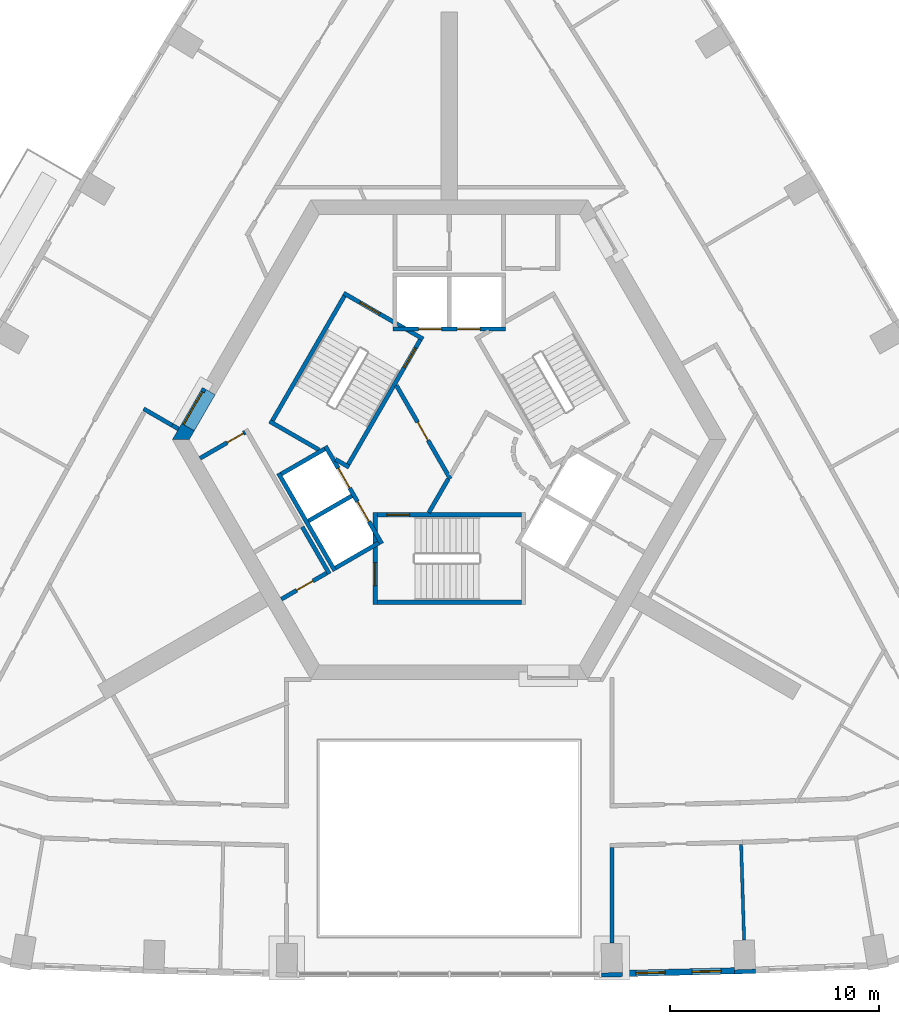
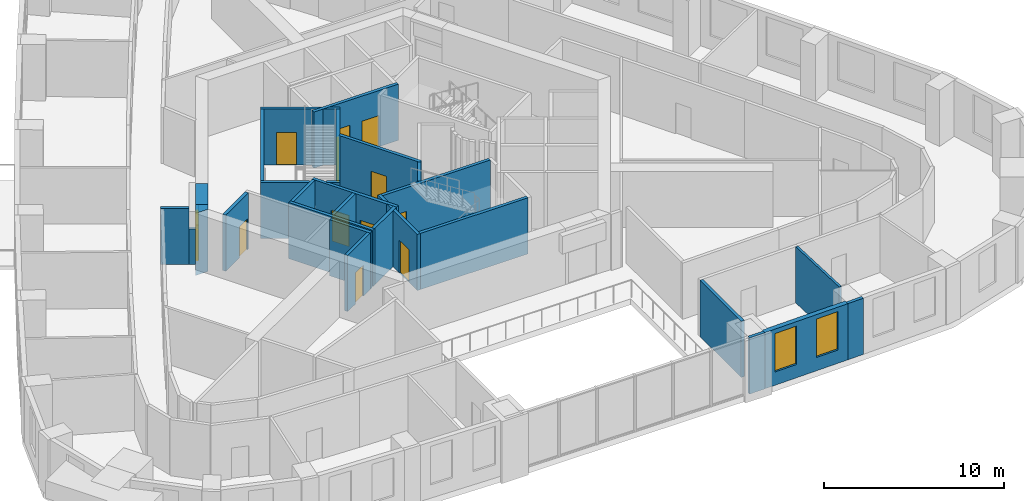
# One storey, part 5 of 13: 29 walls, 12 doors, 2 windows, 14 openings.
"""IFC4 building model written with IfcOpenShell, lengths in metres."""

from ifc_helpers import new_model, si_unit, direction, frame, frame_2d, origin, place, context, subcontext, project, spatial, polyline, rectangle, outline, extrude, material, layer, layer_set, type_object, element, fill, save


model = new_model("IFC4")

# Units and contexts
model_context = context("Model", 3, precision=1e-05, world=origin(), true_north=direction((0.0, 1.0)))
body_context = subcontext(model_context, "Body", "Model", "MODEL_VIEW")
ifc_project = project(units=[si_unit("LENGTHUNIT", "METRE"), si_unit("AREAUNIT", "SQUARE_METRE"), si_unit("VOLUMEUNIT", "CUBIC_METRE"), si_unit("PLANEANGLEUNIT", "RADIAN"), si_unit("MASSUNIT", "GRAM", prefix="KILO")], contexts=[model_context])

# Site, building, storey
site_placement = place(None, origin())
site = spatial("IfcSite", under=ifc_project, at=site_placement, CompositionType="ELEMENT")
building_placement = place(site_placement, origin())
building = spatial("IfcBuilding", under=site, at=building_placement, Name="Entoto Arch Interchange Tower", CompositionType="ELEMENT")
storey_placement = place(building_placement, frame((0.0, 0.0, 223.39990234375)))
storey = spatial("IfcBuildingStorey", under=building, at=storey_placement, Name="L50", CompositionType="ELEMENT", Elevation=223.39990234375)

# Wall, opening, door
ifc_material_1 = material(Name="Reinforced concrete C40/50", Category="concrete")
ifc_layer_1 = layer(ifc_material_1, 0.199951171875)
ifc_layer_set_1 = layer_set([ifc_layer_1], Name="Reinforced concrete C40/50")
wall_type_1 = type_object("IfcWallType", Name="CORE GAP INFILL WALL", PredefinedType="PARTITIONING", material=ifc_layer_set_1)
wall_1_placement = place(storey_placement, frame((-11.7470703125, 4.951904296875, 0.0), z_axis=(0.0, 0.0, 1.0), x_axis=(-0.50002537861, -0.866010750942, 0.0)))
wall_1 = element("IfcWall", 1, at=wall_1_placement, inside=storey, type_object=wall_type_1, Name="wall:L50:gap3", PredefinedType="PARTITIONING", context=body_context, shape_type="SweptSolid", body=[
    extrude(rectangle(XDim=2.0, YDim=0.199951171875, at=frame_2d((1.0, 0.0))), origin(), (0.0, 0.0, 1.0), 2.400146484375),
])
opening_1_placement = place(wall_1_placement, frame((0.18994140625, 0.0, 0.0)))
opening_1 = element("IfcOpeningElement", 2, at=opening_1_placement, cuts=wall_1, Name="Opening L50-D93", PredefinedType="OPENING", context=body_context, shape_type="SweptSolid", body=[
    extrude(rectangle(XDim=1.800048828125, YDim=2.10009765625, at=frame_2d((0.89990234375, 1.050048828125))), frame((0.0, 0.10986328125, 0.0), z_axis=(0.0, -1.0, 0.0), x_axis=(1.0, 0.0, 0.0)), (0.0, 0.0, 1.0), 0.219970703125),
])
ifc_material_2 = material(Name="Fire-rated Steel S235 door and frame", Category="steel")
door_type_1 = type_object("IfcDoorType", Name="DOOR FD-18 1800x2100", OperationType="DOUBLE_DOOR_SINGLE_SWING", PredefinedType="DOOR", material=ifc_material_2)
door_1_placement = place(opening_1_placement, origin())
door_1 = element("IfcDoor", 3, at=door_1_placement, inside=storey, type_object=door_type_1, Name="door:L50:gap3", OperationType="DOUBLE_DOOR_SINGLE_SWING", OverallHeight=2.10009765625, OverallWidth=1.800048828125, PredefinedType="DOOR", context=body_context, shape_type="SweptSolid", body=[
    extrude(rectangle(XDim=1.800048828125, YDim=2.10009765625, at=frame_2d((0.89990234375, 1.050048828125))), frame((0.0, 0.02490234375, 0.0), z_axis=(0.0, -1.0, 0.0), x_axis=(1.0, 0.0, 0.0)), (0.0, 0.0, 1.0), 0.050048828125),
])
fill(opening_1, door_1)

# Walls
ifc_material_3 = material(Name="Concrete C50/60", Category="concrete")
ifc_layer_2 = layer(ifc_material_3, 0.699951171875)
ifc_layer_set_2 = layer_set([ifc_layer_2], Name="Concrete C50/60")
wall_type_2 = type_object("IfcWallType", Name="Core wall 700 C50/60", PredefinedType="SHEAR", material=ifc_layer_set_2)
wall_2_placement = place(storey_placement, frame((0.0, 0.0, -0.39990234375)))
element("IfcWall", 4, at=wall_2_placement, inside=storey, type_object=wall_type_2, Name="Core wall NW L50", PredefinedType="SHEAR", context=body_context, shape_type="SweptSolid", body=[
    extrude(outline(polyline([(-12.22802734375, 2.919921875), (-12.833984375, 3.27001953125), (-13.279052734375, 2.5), (-12.470947265625, 2.5), (-12.22802734375, 2.919921875)])), origin(), (0.0, 0.0, 1.0), 4.199951171875),
])
wall_3_placement = place(storey_placement, frame((0.0, 0.0, 3.60009765625)))
element("IfcWall", 5, at=wall_3_placement, inside=storey, type_object=wall_type_2, Name="Core wall lintel NW L50", PredefinedType="SHEAR", context=body_context, shape_type="SweptSolid", body=[
    extrude(outline(polyline([(-12.833984375, 3.27001953125), (-12.22802734375, 2.919921875), (-11.22802734375, 4.652099609375), (-11.833984375, 5.001953125), (-12.833984375, 3.27001953125)])), origin(), (0.0, 0.0, 1.0), 0.199951171875),
])

# Wall, openings, doors
ifc_material_4 = material(Name="Concrete C40/50", Category="concrete")
ifc_layer_3 = layer(ifc_material_4, 0.199951171875)
ifc_layer_set_3 = layer_set([ifc_layer_3], Name="Concrete C40/50")
wall_type_3 = type_object("IfcWallType", Name="LIFT SHAFT WALL 200", PredefinedType="STANDARD", material=ifc_layer_set_3)
wall_4_placement = place(storey_placement, frame((2.699951171875, 7.800048828125, 0.0), z_axis=(0.0, 0.0, 1.0), x_axis=(-1.0, 0.0, 0.0)))
wall_4 = element("IfcWall", 6, at=wall_4_placement, inside=storey, type_object=wall_type_3, Name="Shaft wall N1 front", PredefinedType="STANDARD", context=body_context, shape_type="SweptSolid", body=[
    extrude(rectangle(XDim=5.39990234375, YDim=0.199951171875, at=frame_2d((2.699951171875, 0.0))), origin(), (0.0, 0.0, 1.0), 3.800048828125),
])
opening_2_placement = place(wall_4_placement, frame((1.22509765625, 0.0, 0.0)))
opening_2 = element("IfcOpeningElement", 7, at=opening_2_placement, cuts=wall_4, Name="Opening LD-HR1-L50", PredefinedType="OPENING", context=body_context, shape_type="SweptSolid", body=[
    extrude(rectangle(XDim=1.10009765625, YDim=2.10009765625, at=frame_2d((0.550048828125, 1.050048828125))), frame((0.0, 0.10986328125, 0.0), z_axis=(0.0, -1.0, 0.0), x_axis=(1.0, 0.0, 0.0)), (0.0, 0.0, 1.0), 0.219970703125),
])
opening_3_placement = place(wall_4_placement, frame((3.074951171875, 0.0, 0.0)))
opening_3 = element("IfcOpeningElement", 8, at=opening_3_placement, cuts=wall_4, Name="Opening LD-HR2-L50", PredefinedType="OPENING", context=body_context, shape_type="SweptSolid", body=[
    extrude(rectangle(XDim=1.10009765625, YDim=2.10009765625, at=frame_2d((0.550048828125, 1.050048828125))), frame((0.0, 0.10986328125, 0.0), z_axis=(0.0, -1.0, 0.0), x_axis=(1.0, 0.0, 0.0)), (0.0, 0.0, 1.0), 0.219970703125),
])
ifc_material_5 = material(Name="Stainless steel 1.4301 panels", Category="steel")
door_type_2 = type_object("IfcDoorType", Name="LIFT LANDING DOOR LD1 1100x2100", OperationType="SLIDING_TO_LEFT", PredefinedType="DOOR", material=ifc_material_5)
door_2_placement = place(opening_2_placement, origin())
door_2 = element("IfcDoor", 9, at=door_2_placement, inside=storey, type_object=door_type_2, Name="Lift landing door HR1 L50", OperationType="SLIDING_TO_LEFT", OverallHeight=2.10009765625, OverallWidth=1.10009765625, PredefinedType="DOOR", context=body_context, shape_type="SweptSolid", body=[
    extrude(rectangle(XDim=1.10009765625, YDim=2.10009765625, at=frame_2d((0.550048828125, 1.050048828125))), frame((0.0, 0.02490234375, 0.0), z_axis=(0.0, -1.0, 0.0), x_axis=(1.0, 0.0, 0.0)), (0.0, 0.0, 1.0), 0.050048828125),
])
fill(opening_2, door_2)
door_3_placement = place(opening_3_placement, origin())
door_3 = element("IfcDoor", 10, at=door_3_placement, inside=storey, type_object=door_type_2, Name="Lift landing door HR2 L50", OperationType="SLIDING_TO_LEFT", OverallHeight=2.10009765625, OverallWidth=1.10009765625, PredefinedType="DOOR", context=body_context, shape_type="SweptSolid", body=[
    extrude(rectangle(XDim=1.10009765625, YDim=2.10009765625, at=frame_2d((0.550048828125, 1.050048828125))), frame((0.0, 0.02490234375, 0.0), z_axis=(0.0, -1.0, 0.0), x_axis=(1.0, 0.0, 0.0)), (0.0, 0.0, 1.0), 0.050048828125),
])
fill(opening_3, door_3)

wall_5_placement = place(storey_placement, frame((-5.93994140625, 2.18798828125, 0.0), z_axis=(0.0, 0.0, 1.0), x_axis=(0.500034260056, -0.866005622828, 0.0)))
wall_5 = element("IfcWall", 11, at=wall_5_placement, inside=storey, type_object=wall_type_3, Name="Shaft wall SW1 front", PredefinedType="STANDARD", context=body_context, shape_type="SweptSolid", body=[
    extrude(rectangle(XDim=5.3994140625, YDim=0.199951171875, at=frame_2d((2.69970703125, 0.0))), origin(), (0.0, 0.0, 1.0), 3.800048828125),
])
opening_4_placement = place(wall_5_placement, frame((3.074951171875, 0.0, 0.0)))
opening_4 = element("IfcOpeningElement", 12, at=opening_4_placement, cuts=wall_5, Name="Opening LD-HR4-L50", PredefinedType="OPENING", context=body_context, shape_type="SweptSolid", body=[
    extrude(rectangle(XDim=1.10009765625, YDim=2.10009765625, at=frame_2d((0.550048828125, 1.050048828125))), frame((0.0, 0.10986328125, 0.0), z_axis=(0.0, -1.0, 0.0), x_axis=(1.0, 0.0, 0.0)), (0.0, 0.0, 1.0), 0.219970703125),
])
opening_5_placement = place(wall_5_placement, frame((1.22509765625, 0.0, 0.0)))
opening_5 = element("IfcOpeningElement", 13, at=opening_5_placement, cuts=wall_5, Name="Opening LD-FF2-L50", PredefinedType="OPENING", context=body_context, shape_type="SweptSolid", body=[
    extrude(rectangle(XDim=1.10009765625, YDim=2.10009765625, at=frame_2d((0.550048828125, 1.050048828125))), frame((0.0, 0.10986328125, 0.0), z_axis=(0.0, -1.0, 0.0), x_axis=(1.0, 0.0, 0.0)), (0.0, 0.0, 1.0), 0.219970703125),
])
door_4_placement = place(opening_4_placement, origin())
door_4 = element("IfcDoor", 14, at=door_4_placement, inside=storey, type_object=door_type_2, Name="Lift landing door HR4 L50", OperationType="SLIDING_TO_LEFT", OverallHeight=2.10009765625, OverallWidth=1.10009765625, PredefinedType="DOOR", context=body_context, shape_type="SweptSolid", body=[
    extrude(rectangle(XDim=1.10009765625, YDim=2.10009765625, at=frame_2d((0.550048828125, 1.050048828125))), frame((0.0, 0.02490234375, 0.0), z_axis=(0.0, -1.0, 0.0), x_axis=(1.0, 0.0, 0.0)), (0.0, 0.0, 1.0), 0.050048828125),
])
fill(opening_4, door_4)
door_5_placement = place(opening_5_placement, origin())
door_5 = element("IfcDoor", 15, at=door_5_placement, inside=storey, type_object=door_type_2, Name="Lift landing door FF2 L50", OperationType="SLIDING_TO_LEFT", OverallHeight=2.10009765625, OverallWidth=1.10009765625, PredefinedType="DOOR", context=body_context, shape_type="SweptSolid", body=[
    extrude(rectangle(XDim=1.10009765625, YDim=2.10009765625, at=frame_2d((0.550048828125, 1.050048828125))), frame((0.0, 0.02490234375, 0.0), z_axis=(0.0, -1.0, 0.0), x_axis=(1.0, 0.0, 0.0)), (0.0, 0.0, 1.0), 0.050048828125),
])
fill(opening_5, door_5)

# Walls
wall_6_placement = place(storey_placement, frame((-8.19189453125, 0.887939453125, 0.0), z_axis=(0.0, 0.0, 1.0), x_axis=(0.500034260056, -0.866005622828, 0.0)))
element("IfcWall", 16, at=wall_6_placement, inside=storey, type_object=wall_type_3, Name="Shaft wall SW1 back", PredefinedType="STANDARD", context=body_context, shape_type="SweptSolid", body=[
    extrude(rectangle(XDim=5.3994140625, YDim=0.199951171875, at=frame_2d((2.69970703125, 0.0))), origin(), (0.0, 0.0, 1.0), 3.800048828125),
])
for number, where, z_axis, x_axis, name in (
    (17, (-5.97705078125, 2.052001953125, 0.0), (0.0, 0.0, 1.0), (-0.865973769406, -0.500089422704, 0.0), "Shaft wall SW1 cross 1"),
    (18, (-4.677001953125, -0.199951171875, 0.0), (0.0, 0.0, 1.0), (-0.865973769406, -0.500089422704, 0.0), "Shaft wall SW1 cross 2"),
):
    element("IfcWall", number, at=place(storey_placement, frame(where, z_axis=z_axis, x_axis=x_axis)), inside=storey, type_object=wall_type_3, Name=name, PredefinedType="STANDARD", context=body_context, shape_type="SweptSolid", body=[
        extrude(rectangle(XDim=2.3994140625, YDim=0.199951171875, at=frame_2d((1.19970703125, 0.0))), origin(), (0.0, 0.0, 1.0), 3.800048828125),
    ])
wall_7_placement = place(storey_placement, frame((-3.376953125, -2.451904296875, 0.0), z_axis=(0.0, 0.0, 1.0), x_axis=(-0.865955154139, -0.50012165622, 0.0)))
element("IfcWall", 19, at=wall_7_placement, inside=storey, type_object=wall_type_3, Name="Shaft wall SW1 cross 3", PredefinedType="STANDARD", context=body_context, shape_type="SweptSolid", body=[
    extrude(rectangle(XDim=2.39990234375, YDim=0.199951171875, at=frame_2d((1.199951171875, 0.0))), origin(), (0.0, 0.0, 1.0), 3.800048828125),
])
ifc_material_6 = material(Name="Gypsum board partition on steel studs", Category="steel")
ifc_layer_4 = layer(ifc_material_6, 0.14990234375)
ifc_layer_set_4 = layer_set([ifc_layer_4], Name="Gypsum board partition on steel studs")
wall_type_4 = type_object("IfcWallType", Name="PARTITION 150", PredefinedType="PARTITIONING", material=ifc_layer_set_4)
wall_8_placement = place(storey_placement, frame((13.990966796875, -16.909912109375, 0.0), z_axis=(0.0, 0.0, 1.0), x_axis=(0.031234752378, -0.999512076087, 0.0)))
element("IfcWall", 20, at=wall_8_placement, inside=storey, type_object=wall_type_4, Name="wall:L50:p117", PredefinedType="PARTITIONING", context=body_context, shape_type="SweptSolid", body=[
    extrude(rectangle(XDim=4.580322265625, YDim=0.14990234375, at=frame_2d((2.2900390625, 0.0))), origin(), (0.0, 0.0, 1.0), 3.800048828125),
])
ifc_layer_5 = layer(ifc_material_6, 0.199951171875)
ifc_layer_set_5 = layer_set([ifc_layer_5], Name="Gypsum board partition on steel studs")
wall_type_5 = type_object("IfcWallType", Name="PARTITION 200", PredefinedType="PARTITIONING", material=ifc_layer_set_5)
wall_9_placement = place(storey_placement, frame((-12.98388671875, 3.010009765625, 0.0), z_axis=(0.0, 0.0, 1.0), x_axis=(-0.866046247233, 0.49996389635, 0.0)))
element("IfcWall", 21, at=wall_9_placement, inside=storey, type_object=wall_type_5, Name="wall:L50:p024", PredefinedType="PARTITIONING", context=body_context, shape_type="SweptSolid", body=[
    extrude(rectangle(XDim=0.35009765625, YDim=0.199951171875, at=frame_2d((0.175048828125, 0.0))), origin(), (0.0, 0.0, 1.0), 2.400146484375),
])

# Wall, opening, door
wall_10_placement = place(storey_placement, frame((-11.952880859375, 1.60302734375, 0.0), z_axis=(0.0, 0.0, 1.0), x_axis=(0.865998541277, 0.500046524342, 0.0)))
wall_10 = element("IfcWall", 22, at=wall_10_placement, inside=storey, type_object=wall_type_5, Name="wall:L50:p079", PredefinedType="PARTITIONING", context=body_context, shape_type="SweptSolid", body=[
    extrude(rectangle(XDim=2.499755859375, YDim=0.199951171875, at=frame_2d((1.25, 0.0))), origin(), (0.0, 0.0, 1.0), 3.800048828125),
])
opening_6_placement = place(wall_10_placement, frame((1.5, 0.0, 0.0)))
opening_6 = element("IfcOpeningElement", 23, at=opening_6_placement, cuts=wall_10, Name="Opening L50-D34", PredefinedType="OPENING", context=body_context, shape_type="SweptSolid", body=[
    extrude(rectangle(XDim=0.89990234375, YDim=2.10009765625, at=frame_2d((0.449951171875, 1.050048828125))), frame((0.0, 0.10986328125, 0.0), z_axis=(0.0, -1.0, 0.0), x_axis=(1.0, 0.0, 0.0)), (0.0, 0.0, 1.0), 0.219970703125),
])
ifc_material_7 = material(Name="Timber door leaf in Steel S235 frame", Category="steel")
door_type_3 = type_object("IfcDoorType", Name="DOOR DS-09 900x2100", OperationType="SINGLE_SWING_LEFT", PredefinedType="DOOR", material=ifc_material_7)
door_6_placement = place(opening_6_placement, origin())
door_6 = element("IfcDoor", 24, at=door_6_placement, inside=storey, type_object=door_type_3, Name="door:L50:34", OperationType="SINGLE_SWING_LEFT", OverallHeight=2.10009765625, OverallWidth=0.89990234375, PredefinedType="DOOR", context=body_context, shape_type="SweptSolid", body=[
    extrude(rectangle(XDim=0.89990234375, YDim=2.10009765625, at=frame_2d((0.449951171875, 1.050048828125))), frame((0.0, 0.02490234375, 0.0), z_axis=(0.0, -1.0, 0.0), x_axis=(1.0, 0.0, 0.0)), (0.0, 0.0, 1.0), 0.050048828125),
])
fill(opening_6, door_6)

# Wall
wall_11_placement = place(storey_placement, frame((-7.051025390625, -1.68701171875, 0.0), z_axis=(0.0, 0.0, 1.0), x_axis=(0.500128937424, -0.865950948929, 0.0)))
element("IfcWall", 25, at=wall_11_placement, inside=storey, type_object=wall_type_5, Name="wall:L50:p081", PredefinedType="PARTITIONING", context=body_context, shape_type="SweptSolid", body=[
    extrude(rectangle(XDim=2.599365234375, YDim=0.199951171875, at=frame_2d((1.2998046875, 0.0))), origin(), (0.0, 0.0, 1.0), 3.800048828125),
])

# Wall, opening, door
wall_12_placement = place(storey_placement, frame((-5.887939453125, -3.902099609375, 0.0), z_axis=(0.0, 0.0, 1.0), x_axis=(-0.866022959057, -0.500004234368, 0.0)))
wall_12 = element("IfcWall", 26, at=wall_12_placement, inside=storey, type_object=wall_type_5, Name="wall:L50:p082", PredefinedType="PARTITIONING", context=body_context, shape_type="SweptSolid", body=[
    extrude(rectangle(XDim=2.5, YDim=0.199951171875, at=frame_2d((1.25, 0.0))), origin(), (0.0, 0.0, 1.0), 3.800048828125),
])
opening_7_placement = place(wall_12_placement, frame((0.75, 0.0, 0.0)))
opening_7 = element("IfcOpeningElement", 27, at=opening_7_placement, cuts=wall_12, Name="Opening L50-D35", PredefinedType="OPENING", context=body_context, shape_type="SweptSolid", body=[
    extrude(rectangle(XDim=0.89990234375, YDim=2.10009765625, at=frame_2d((0.449951171875, 1.050048828125))), frame((0.0, 0.10986328125, 0.0), z_axis=(0.0, -1.0, 0.0), x_axis=(1.0, 0.0, 0.0)), (0.0, 0.0, 1.0), 0.219970703125),
])
door_7_placement = place(opening_7_placement, origin())
door_7 = element("IfcDoor", 28, at=door_7_placement, inside=storey, type_object=door_type_3, Name="door:L50:35", OperationType="SINGLE_SWING_RIGHT", OverallHeight=2.10009765625, OverallWidth=0.89990234375, PredefinedType="DOOR", context=body_context, shape_type="SweptSolid", body=[
    extrude(rectangle(XDim=0.89990234375, YDim=2.10009765625, at=frame_2d((0.449951171875, 1.050048828125))), frame((0.0, 0.02490234375, 0.0), z_axis=(0.0, -1.0, 0.0), x_axis=(1.0, 0.0, 0.0)), (0.0, 0.0, 1.0), 0.050048828125),
])
fill(opening_7, door_7)

# Wall
wall_13_placement = place(storey_placement, frame((-0.98193359375, -1.0, 0.0), z_axis=(0.0, 0.0, 1.0), x_axis=(0.50024047865, 0.865886518847, 0.0)))
element("IfcWall", 29, at=wall_13_placement, inside=storey, type_object=wall_type_5, Name="wall:L50:p089", PredefinedType="PARTITIONING", context=body_context, shape_type="SweptSolid", body=[
    extrude(rectangle(XDim=1.86279296875, YDim=0.199951171875, at=frame_2d((0.931396484375, 0.0))), origin(), (0.0, 0.0, 1.0), 3.800048828125),
])

# Wall, opening, door
wall_14_placement = place(storey_placement, frame((-2.5400390625, 5.10009765625, 0.0), z_axis=(0.0, 0.0, 1.0), x_axis=(0.499925051871, -0.866068670783, 0.0)))
wall_14 = element("IfcWall", 30, at=wall_14_placement, inside=storey, type_object=wall_type_5, Name="wall:L50:p100", PredefinedType="PARTITIONING", context=body_context, shape_type="SweptSolid", body=[
    extrude(rectangle(XDim=5.180908203125, YDim=0.199951171875, at=frame_2d((2.59033203125, 0.0))), origin(), (0.0, 0.0, 1.0), 3.800048828125),
])
opening_8_placement = place(wall_14_placement, frame((2.0400390625, 0.0, 0.0)))
opening_8 = element("IfcOpeningElement", 31, at=opening_8_placement, cuts=wall_14, Name="Opening L50-D29", PredefinedType="OPENING", context=body_context, shape_type="SweptSolid", body=[
    extrude(rectangle(XDim=1.0, YDim=2.10009765625, at=frame_2d((0.5, 1.050048828125))), frame((0.0, 0.10986328125, 0.0), z_axis=(0.0, -1.0, 0.0), x_axis=(1.0, 0.0, 0.0)), (0.0, 0.0, 1.0), 0.219970703125),
])
door_type_4 = type_object("IfcDoorType", Name="DOOR FD-10 1000x2100", OperationType="SINGLE_SWING_LEFT", PredefinedType="DOOR", material=ifc_material_2)
door_8_placement = place(opening_8_placement, origin())
door_8 = element("IfcDoor", 32, at=door_8_placement, inside=storey, type_object=door_type_4, Name="door:L50:29", OperationType="SINGLE_SWING_RIGHT", OverallHeight=2.10009765625, OverallWidth=1.0, PredefinedType="DOOR", context=body_context, shape_type="SweptSolid", body=[
    extrude(rectangle(XDim=1.0, YDim=2.10009765625, at=frame_2d((0.5, 1.050048828125))), frame((0.0, 0.02490234375, 0.0), z_axis=(0.0, -1.0, 0.0), x_axis=(1.0, 0.0, 0.0)), (0.0, 0.0, 1.0), 0.050048828125),
])
fill(opening_8, door_8)

# Walls
wall_15_placement = place(storey_placement, frame((7.800048828125, -17.05908203125, 0.0), z_axis=(0.0, 0.0, 1.0), x_axis=(0.0, -1.0, 0.0)))
element("IfcWall", 33, at=wall_15_placement, inside=storey, type_object=wall_type_5, Name="wall:L50:p105", PredefinedType="PARTITIONING", context=body_context, shape_type="SweptSolid", body=[
    extrude(rectangle(XDim=4.58203125, YDim=0.199951171875, at=frame_2d((2.291015625, 0.0))), origin(), (0.0, 0.0, 1.0), 3.800048828125),
])
wall_16_placement = place(storey_placement, frame((-13.287109375, 3.18505859375, 0.0), z_axis=(0.0, 0.0, 1.0), x_axis=(-0.865992812752, 0.500056445075, 0.0)))
element("IfcWall", 34, at=wall_16_placement, inside=storey, type_object=wall_type_5, Name="wall:L50:p024", PredefinedType="PARTITIONING", context=body_context, shape_type="SweptSolid", body=[
    extrude(rectangle(XDim=1.581787109375, YDim=0.199951171875, at=frame_2d((0.791015625, 0.0))), origin(), (0.0, 0.0, 1.0), 3.800048828125),
])

# Wall, opening, door
ifc_layer_6 = layer(ifc_material_4, 0.199951171875)
ifc_layer_set_6 = layer_set([ifc_layer_6], Name="Concrete C40/50")
wall_type_6 = type_object("IfcWallType", Name="STAIR ENCLOSURE WALL 200", PredefinedType="STANDARD", material=ifc_layer_set_6)
wall_17_placement = place(storey_placement, frame((-3.550048828125, -1.0, 0.0), z_axis=(0.0, 0.0, 1.0), x_axis=(0.0, -1.0, 0.0)))
wall_17 = element("IfcWall", 35, at=wall_17_placement, inside=storey, type_object=wall_type_6, Name="Stair wall ST-S near", PredefinedType="STANDARD", context=body_context, shape_type="SweptSolid", body=[
    extrude(rectangle(XDim=4.39990234375, YDim=0.199951171875, at=frame_2d((2.199951171875, 0.0))), origin(), (0.0, 0.0, 1.0), 3.800048828125),
])
opening_9_placement = place(wall_17_placement, frame((2.39990234375, 0.0, 0.0)))
opening_9 = element("IfcOpeningElement", 36, at=opening_9_placement, cuts=wall_17, Name="Opening SD-ST-S-L50-E", PredefinedType="OPENING", context=body_context, shape_type="SweptSolid", body=[
    extrude(rectangle(XDim=1.10009765625, YDim=2.199951171875, at=frame_2d((0.550048828125, 1.10009765625))), frame((0.0, 0.10986328125, 0.0), z_axis=(0.0, -1.0, 0.0), x_axis=(1.0, 0.0, 0.0)), (0.0, 0.0, 1.0), 0.219970703125),
])
ifc_material_8 = material(Name="Steel S235", Category="steel")
door_type_5 = type_object("IfcDoorType", Name="STAIR DOOR SD1 1100x2200", OperationType="SINGLE_SWING_LEFT", PredefinedType="DOOR", material=ifc_material_8)
door_9_placement = place(opening_9_placement, origin())
door_9 = element("IfcDoor", 37, at=door_9_placement, inside=storey, type_object=door_type_5, Name="Stair door ST-S L50 end", OperationType="SINGLE_SWING_LEFT", OverallHeight=2.199951171875, OverallWidth=1.10009765625, PredefinedType="DOOR", context=body_context, shape_type="SweptSolid", body=[
    extrude(rectangle(XDim=1.10009765625, YDim=2.199951171875, at=frame_2d((0.550048828125, 1.10009765625))), frame((0.0, 0.02490234375, 0.0), z_axis=(0.0, -1.0, 0.0), x_axis=(1.0, 0.0, 0.0)), (0.0, 0.0, 1.0), 0.050048828125),
])
fill(opening_9, door_9)

wall_18_placement = place(storey_placement, frame((-3.449951171875, -1.10009765625, 0.0), z_axis=(0.0, 0.0, 1.0), x_axis=(1.0, 0.0, 0.0)))
wall_18 = element("IfcWall", 38, at=wall_18_placement, inside=storey, type_object=wall_type_6, Name="Stair wall ST-S hall", PredefinedType="STANDARD", context=body_context, shape_type="SweptSolid", body=[
    extrude(rectangle(XDim=6.89990234375, YDim=0.199951171875, at=frame_2d((3.449951171875, 0.0))), origin(), (0.0, 0.0, 1.0), 3.800048828125),
])
opening_10_placement = place(wall_18_placement, frame((0.449951171875, 0.0, 0.0)))
opening_10 = element("IfcOpeningElement", 39, at=opening_10_placement, cuts=wall_18, Name="Opening SD-ST-S-L50", PredefinedType="OPENING", context=body_context, shape_type="SweptSolid", body=[
    extrude(rectangle(XDim=1.10009765625, YDim=2.199951171875, at=frame_2d((0.550048828125, 1.10009765625))), frame((0.0, 0.10986328125, 0.0), z_axis=(0.0, -1.0, 0.0), x_axis=(1.0, 0.0, 0.0)), (0.0, 0.0, 1.0), 0.219970703125),
])
door_10_placement = place(opening_10_placement, origin())
door_10 = element("IfcDoor", 40, at=door_10_placement, inside=storey, type_object=door_type_5, Name="Stair door ST-S L50", OperationType="SINGLE_SWING_LEFT", OverallHeight=2.199951171875, OverallWidth=1.10009765625, PredefinedType="DOOR", context=body_context, shape_type="SweptSolid", body=[
    extrude(rectangle(XDim=1.10009765625, YDim=2.199951171875, at=frame_2d((0.550048828125, 1.10009765625))), frame((0.0, 0.02490234375, 0.0), z_axis=(0.0, -1.0, 0.0), x_axis=(1.0, 0.0, 0.0)), (0.0, 0.0, 1.0), 0.050048828125),
])
fill(opening_10, door_10)

# Wall
wall_19_placement = place(storey_placement, frame((-3.449951171875, -5.300048828125, 0.0), z_axis=(0.0, 0.0, 1.0), x_axis=(1.0, 0.0, 0.0)))
element("IfcWall", 41, at=wall_19_placement, inside=storey, type_object=wall_type_6, Name="Stair wall ST-S back", PredefinedType="STANDARD", context=body_context, shape_type="SweptSolid", body=[
    extrude(rectangle(XDim=6.89990234375, YDim=0.199951171875, at=frame_2d((3.449951171875, 0.0))), origin(), (0.0, 0.0, 1.0), 3.800048828125),
])

# Wall, opening, door
wall_20_placement = place(storey_placement, frame((-1.256103515625, 7.323974609375, 0.0), z_axis=(0.0, 0.0, 1.0), x_axis=(-0.866046073146, 0.499964197906, 0.0)))
wall_20 = element("IfcWall", 42, at=wall_20_placement, inside=storey, type_object=wall_type_6, Name="Stair wall ST-NW near", PredefinedType="STANDARD", context=body_context, shape_type="SweptSolid", body=[
    extrude(rectangle(XDim=4.400146484375, YDim=0.199951171875, at=frame_2d((2.2001953125, 0.0))), origin(), (0.0, 0.0, 1.0), 3.800048828125),
])
opening_11_placement = place(wall_20_placement, frame((2.39990234375, 0.0, 0.0)))
opening_11 = element("IfcOpeningElement", 43, at=opening_11_placement, cuts=wall_20, Name="Opening SD-ST-NW-L50-E", PredefinedType="OPENING", context=body_context, shape_type="SweptSolid", body=[
    extrude(rectangle(XDim=1.10009765625, YDim=2.199951171875, at=frame_2d((0.550048828125, 1.10009765625))), frame((0.0, 0.10986328125, 0.0), z_axis=(0.0, -1.0, 0.0), x_axis=(1.0, 0.0, 0.0)), (0.0, 0.0, 1.0), 0.219970703125),
])
door_11_placement = place(opening_11_placement, origin())
door_11 = element("IfcDoor", 44, at=door_11_placement, inside=storey, type_object=door_type_5, Name="Stair door ST-NW L50 end", OperationType="SINGLE_SWING_LEFT", OverallHeight=2.199951171875, OverallWidth=1.10009765625, PredefinedType="DOOR", context=body_context, shape_type="SweptSolid", body=[
    extrude(rectangle(XDim=1.10009765625, YDim=2.199951171875, at=frame_2d((0.550048828125, 1.10009765625))), frame((0.0, 0.02490234375, 0.0), z_axis=(0.0, -1.0, 0.0), x_axis=(1.0, 0.0, 0.0)), (0.0, 0.0, 1.0), 0.050048828125),
])
fill(opening_11, door_11)

# Walls
wall_21_placement = place(storey_placement, frame((-6.25, 2.010009765625, 0.0), z_axis=(0.0, 0.0, 1.0), x_axis=(-0.86611865017, 0.499838457731, 0.0)))
element("IfcWall", 45, at=wall_21_placement, inside=storey, type_object=wall_type_6, Name="Stair wall ST-NW far", PredefinedType="STANDARD", context=body_context, shape_type="SweptSolid", body=[
    extrude(rectangle(XDim=2.73291015625, YDim=0.199951171875, at=frame_2d((1.366455078125, 0.0))), origin(), (0.0, 0.0, 1.0), 3.800048828125),
])
wall_22_placement = place(storey_placement, frame((-4.805908203125, 1.176025390625, 0.0), z_axis=(0.0, 0.0, 1.0), x_axis=(-0.866558586415, 0.499075361355, 0.0)))
element("IfcWall", 46, at=wall_22_placement, inside=storey, type_object=wall_type_6, Name="Stair wall ST-NW far return", PredefinedType="STANDARD", context=body_context, shape_type="SweptSolid", body=[
    extrude(rectangle(XDim=0.75146484375, YDim=0.199951171875, at=frame_2d((0.375732421875, 0.0))), origin(), (0.0, 0.0, 1.0), 3.800048828125),
])

# Wall, opening, door
wall_23_placement = place(storey_placement, frame((-1.39306640625, 7.2880859375, 0.0), z_axis=(0.0, 0.0, 1.0), x_axis=(-0.499963383562, -0.866046543262, 0.0)))
wall_23 = element("IfcWall", 47, at=wall_23_placement, inside=storey, type_object=wall_type_6, Name="Stair wall ST-NW hall", PredefinedType="STANDARD", context=body_context, shape_type="SweptSolid", body=[
    extrude(rectangle(XDim=6.900390625, YDim=0.199951171875, at=frame_2d((3.4501953125, 0.0))), origin(), (0.0, 0.0, 1.0), 3.800048828125),
])
opening_12_placement = place(wall_23_placement, frame((0.449951171875, 0.0, 0.0)))
opening_12 = element("IfcOpeningElement", 48, at=opening_12_placement, cuts=wall_23, Name="Opening SD-ST-NW-L50", PredefinedType="OPENING", context=body_context, shape_type="SweptSolid", body=[
    extrude(rectangle(XDim=1.10009765625, YDim=2.199951171875, at=frame_2d((0.550048828125, 1.10009765625))), frame((0.0, 0.10986328125, 0.0), z_axis=(0.0, -1.0, 0.0), x_axis=(1.0, 0.0, 0.0)), (0.0, 0.0, 1.0), 0.219970703125),
])
door_12_placement = place(opening_12_placement, origin())
door_12 = element("IfcDoor", 49, at=door_12_placement, inside=storey, type_object=door_type_5, Name="Stair door ST-NW L50", OperationType="SINGLE_SWING_LEFT", OverallHeight=2.199951171875, OverallWidth=1.10009765625, PredefinedType="DOOR", context=body_context, shape_type="SweptSolid", body=[
    extrude(rectangle(XDim=1.10009765625, YDim=2.199951171875, at=frame_2d((0.550048828125, 1.10009765625))), frame((0.0, 0.02490234375, 0.0), z_axis=(0.0, -1.0, 0.0), x_axis=(1.0, 0.0, 0.0)), (0.0, 0.0, 1.0), 0.050048828125),
])
fill(opening_12, door_12)

# Wall
wall_24_placement = place(storey_placement, frame((-5.030029296875, 9.387939453125, 0.0), z_axis=(0.0, 0.0, 1.0), x_axis=(-0.499978703459, -0.866037698999, 0.0)))
element("IfcWall", 50, at=wall_24_placement, inside=storey, type_object=wall_type_6, Name="Stair wall ST-NW back", PredefinedType="STANDARD", context=body_context, shape_type="SweptSolid", body=[
    extrude(rectangle(XDim=6.900146484375, YDim=0.199951171875, at=frame_2d((3.4501953125, 0.0))), origin(), (0.0, 0.0, 1.0), 3.800048828125),
])

# Wall, openings, windows
ifc_material_9 = material(Name="Welded tuff (ignimbrite) cladding, warm buff", Category="masonry")
ifc_layer_7 = layer(ifc_material_9, 0.300048828125)
ifc_layer_set_7 = layer_set([ifc_layer_7], Name="Welded tuff (ignimbrite) cladding, warm buff")
wall_type_7 = type_object("IfcWallType", Name="STONE INFILL WALL 300", PredefinedType="STANDARD", material=ifc_layer_set_7)
wall_25_placement = place(storey_placement, frame((8.297119140625, -23.09912109375, 0.0), z_axis=(0.0, 0.0, 1.0), x_axis=(0.999708030006, 0.024163086341, 0.0)))
wall_25 = element("IfcWall", 51, at=wall_25_placement, inside=storey, type_object=wall_type_7, Name="Facade wall S-04 L50", PredefinedType="STANDARD", context=body_context, shape_type="SweptSolid", body=[
    extrude(rectangle(XDim=5.38525390625, YDim=0.300048828125, at=frame_2d((2.692626953125, 0.0))), origin(), (0.0, 0.0, 1.0), 3.800048828125),
])
opening_13_placement = place(wall_25_placement, frame((0.64599609375, 0.0, 0.89990234375)))
opening_13 = element("IfcOpeningElement", 52, at=opening_13_placement, cuts=wall_25, Name="Opening WO-B", PredefinedType="OPENING", context=body_context, shape_type="SweptSolid", body=[
    extrude(rectangle(XDim=1.39990234375, YDim=2.60009765625, at=frame_2d((0.699951171875, 1.300048828125))), frame((0.0, 0.16015625, 0.0), z_axis=(0.0, -1.0, 0.0), x_axis=(1.0, 0.0, 0.0)), (0.0, 0.0, 1.0), 0.320068359375),
])
opening_14_placement = place(wall_25_placement, frame((3.339111328125, 0.0, 0.89990234375)))
opening_14 = element("IfcOpeningElement", 53, at=opening_14_placement, cuts=wall_25, Name="Opening WO-B", PredefinedType="OPENING", context=body_context, shape_type="SweptSolid", body=[
    extrude(rectangle(XDim=1.39990234375, YDim=2.60009765625, at=frame_2d((0.699951171875, 1.300048828125))), frame((0.0, 0.16015625, 0.0), z_axis=(0.0, -1.0, 0.0), x_axis=(1.0, 0.0, 0.0)), (0.0, 0.0, 1.0), 0.320068359375),
])
ifc_material_10 = material(Name="Clear glass, low-e double glazed", Category="glass")
window_type = type_object("IfcWindowType", Name="WINDOW WO-B 1400x2600", PartitioningType="DOUBLE_PANEL_VERTICAL", PredefinedType="WINDOW", material=ifc_material_10)
window_1_placement = place(opening_13_placement, origin())
window_1 = element("IfcWindow", 54, at=window_1_placement, inside=storey, type_object=window_type, Name="Window WO-B S-04 L50", OverallHeight=2.60009765625, OverallWidth=1.39990234375, PartitioningType="SINGLE_PANEL", PredefinedType="WINDOW", context=body_context, shape_type="SweptSolid", body=[
    extrude(rectangle(XDim=1.39990234375, YDim=2.60009765625, at=frame_2d((0.699951171875, 1.300048828125))), frame((0.0, 0.030029296875, 0.0), z_axis=(0.0, -1.0, 0.0), x_axis=(1.0, 0.0, 0.0)), (0.0, 0.0, 1.0), 0.06005859375),
])
fill(opening_13, window_1)
window_2_placement = place(opening_14_placement, origin())
window_2 = element("IfcWindow", 55, at=window_2_placement, inside=storey, type_object=window_type, Name="Window WO-B S-04 L50", OverallHeight=2.60009765625, OverallWidth=1.39990234375, PartitioningType="SINGLE_PANEL", PredefinedType="WINDOW", context=body_context, shape_type="SweptSolid", body=[
    extrude(rectangle(XDim=1.39990234375, YDim=2.60009765625, at=frame_2d((0.699951171875, 1.300048828125))), frame((0.0, 0.030029296875, 0.0), z_axis=(0.0, -1.0, 0.0), x_axis=(1.0, 0.0, 0.0)), (0.0, 0.0, 1.0), 0.06005859375),
])
fill(opening_14, window_2)

# Walls
ifc_layer_8 = layer(ifc_material_9, 0.199951171875)
ifc_layer_set_8 = layer_set([ifc_layer_8], Name="Welded tuff (ignimbrite) cladding, warm buff")
wall_type_8 = type_object("IfcWallType", Name="STONE PIER CLADDING 200", PredefinedType="STANDARD", material=ifc_layer_set_8)
wall_26_placement = place(storey_placement, frame((7.299072265625, -23.16796875, 0.0), z_axis=(0.0, 0.0, 1.0), x_axis=(0.999903186316, 0.013914668364, 0.0)))
element("IfcWall", 56, at=wall_26_placement, inside=storey, type_object=wall_type_8, Name="Stone pier S04 L50", PredefinedType="STANDARD", context=body_context, shape_type="SweptSolid", body=[
    extrude(rectangle(XDim=1.0, YDim=0.199951171875, at=frame_2d((0.5, 0.0))), origin(), (0.0, 0.0, 1.0), 3.800048828125),
])
wall_27_placement = place(storey_placement, frame((13.681884765625, -23.02392578125, 0.0), z_axis=(0.0, 0.0, 1.0), x_axis=(0.999423561854, 0.033949138587, 0.0)))
element("IfcWall", 57, at=wall_27_placement, inside=storey, type_object=wall_type_8, Name="Stone pier S05 L50", PredefinedType="STANDARD", context=body_context, shape_type="SweptSolid", body=[
    extrude(rectangle(XDim=0.99951171875, YDim=0.199951171875, at=frame_2d((0.499755859375, 0.0))), origin(), (0.0, 0.0, 1.0), 3.800048828125),
])

save(model, "model.ifc")
